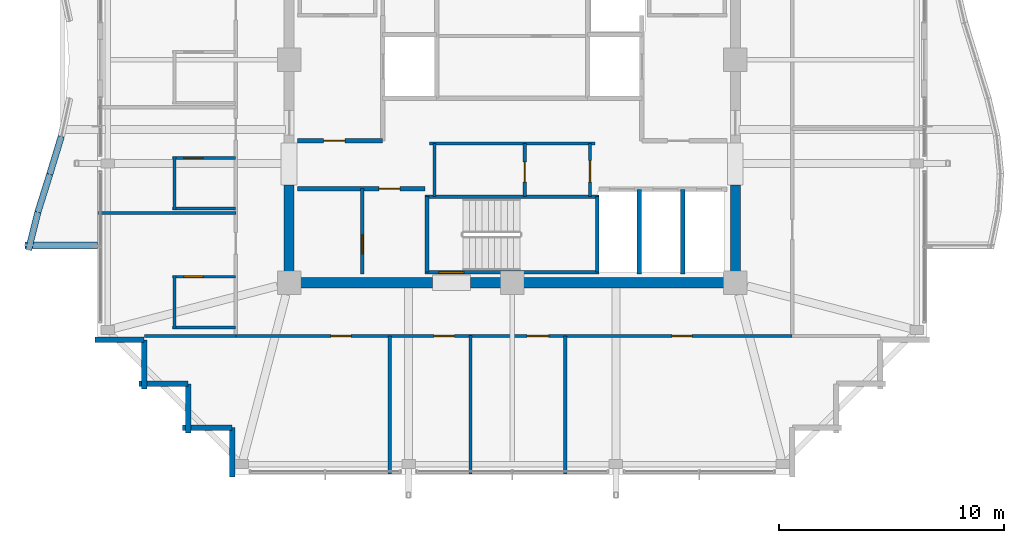
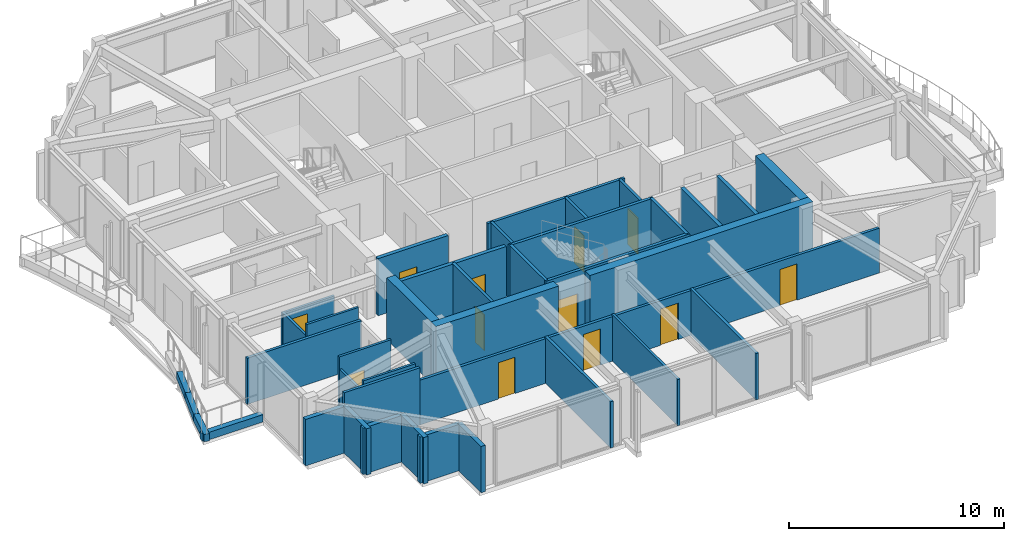
# One storey, part 26 of 31: 39 walls, 12 doors, 12 openings.
"""IFC4 building model written with IfcOpenShell, lengths in metres."""

from ifc_helpers import new_model, si_unit, direction, frame, frame_2d, origin, place, context, subcontext, project, spatial, rectangle, extrude, material, layer, layer_set, type_object, element, fill, save


model = new_model("IFC4")

# Units and contexts
model_context = context("Model", 3, precision=1e-05, world=origin(), true_north=direction((0.0, 1.0)))
body_context = subcontext(model_context, "Body", "Model", "MODEL_VIEW")
ifc_project = project(units=[si_unit("LENGTHUNIT", "METRE"), si_unit("AREAUNIT", "SQUARE_METRE"), si_unit("VOLUMEUNIT", "CUBIC_METRE"), si_unit("PLANEANGLEUNIT", "RADIAN"), si_unit("MASSUNIT", "GRAM", prefix="KILO")], contexts=[model_context])

# Site, building, storey
site_placement = place(None, origin())
site = spatial("IfcSite", under=ifc_project, at=site_placement, CompositionType="ELEMENT")
building_placement = place(site_placement, origin())
building = spatial("IfcBuilding", under=site, at=building_placement, Name="Kolvaren Belvedere", CompositionType="ELEMENT")
storey_placement = place(building_placement, frame((0.0, 0.0, 251.39990234375)))
storey = spatial("IfcBuildingStorey", under=building, at=storey_placement, Name="L73", CompositionType="ELEMENT", Elevation=251.39990234375)

# Walls
ifc_material_1 = material(Name="Concrete C50/60", Category="concrete")
ifc_layer_1 = layer(ifc_material_1, 0.449951171875)
ifc_layer_set_1 = layer_set([ifc_layer_1], Name="Concrete C50/60")
wall_type_1 = type_object("IfcWallType", Name="CW-CORE-450", PredefinedType="SHEAR", material=ifc_layer_set_1)
wall_1_placement = place(storey_placement, frame((10.125, -9.89990234375, 0.0), z_axis=(0.0, 0.0, 1.0), x_axis=(-1.0, 0.0, 0.0)))
element("IfcWall", 1, at=wall_1_placement, inside=storey, type_object=wall_type_1, Name="L73 South Core Shear Wall 1", PredefinedType="SHEAR", context=body_context, shape_type="SweptSolid", body=[
    extrude(rectangle(XDim=11.985107421875, YDim=0.449951171875, at=frame_2d((5.99267578125, 0.0))), origin(), (0.0, 0.0, 1.0), 3.5),
])
wall_2_placement = place(storey_placement, frame((-3.5400390625, -9.89990234375, 0.0), z_axis=(0.0, 0.0, 1.0), x_axis=(-1.0, 0.0, 0.0)))
element("IfcWall", 2, at=wall_2_placement, inside=storey, type_object=wall_type_1, Name="L73 South Core Shear Wall 2", PredefinedType="SHEAR", context=body_context, shape_type="SweptSolid", body=[
    extrude(rectangle(XDim=6.5849609375, YDim=0.449951171875, at=frame_2d((3.29248046875, 0.0))), origin(), (0.0, 0.0, 1.0), 3.5),
])
for number, where, z_axis, x_axis, name in (
    (3, (-9.89990234375, -9.675048828125, 0.0), (0.0, 0.0, 1.0), (0.0, 1.0, 0.0), "L73 West Core Shear Wall 1"),
    (4, (9.89990234375, -9.675048828125, 0.0), (0.0, 0.0, 1.0), (0.0, 1.0, 0.0), "L73 East Core Shear Wall 1"),
):
    element("IfcWall", number, at=place(storey_placement, frame(where, z_axis=z_axis, x_axis=x_axis)), inside=storey, type_object=wall_type_1, Name=name, PredefinedType="SHEAR", context=body_context, shape_type="SweptSolid", body=[
        extrude(rectangle(XDim=4.125, YDim=0.449951171875, at=frame_2d((2.0625, 0.0))), origin(), (0.0, 0.0, 1.0), 3.5),
    ])

# Wall, opening, door
ifc_material_2 = material(Name="Concrete C50/60", Category="concrete")
ifc_layer_2 = layer(ifc_material_2, 0.159912109375)
ifc_layer_set_2 = layer_set([ifc_layer_2], Name="Concrete C50/60")
wall_type_2 = type_object("IfcWallType", Name="CW-STAIR-160", PredefinedType="SHEAR", material=ifc_layer_set_2)
wall_3_placement = place(storey_placement, frame((3.860107421875, -9.429931640625, 0.0), z_axis=(0.0, 0.0, 1.0), x_axis=(-1.0, 0.0, 0.0)))
wall_3 = element("IfcWall", 5, at=wall_3_placement, inside=storey, type_object=wall_type_2, Name="L73 Stair ST-3 South Shear Wall", PredefinedType="SHEAR", context=body_context, shape_type="SweptSolid", body=[
    extrude(rectangle(XDim=7.72021484375, YDim=0.159912109375, at=frame_2d((3.860107421875, 0.0))), origin(), (0.0, 0.0, 1.0), 3.5),
])
opening_1_placement = place(wall_3_placement, frame((6.010009765625, 0.0, 0.0)))
opening_1 = element("IfcOpeningElement", 6, at=opening_1_placement, cuts=wall_3, Name="Opening D-FD90", PredefinedType="OPENING", context=body_context, shape_type="SweptSolid", body=[
    extrude(rectangle(XDim=1.10009765625, YDim=2.199951171875, at=frame_2d((0.550048828125, 1.10009765625))), frame((0.0, 0.08984375, 0.0), z_axis=(0.0, -1.0, 0.0), x_axis=(1.0, 0.0, 0.0)), (0.0, 0.0, 1.0), 0.179931640625),
])
ifc_material_3 = material(Name="Painted hollow stainless steel", Category="steel")
door_type_1 = type_object("IfcDoorType", Name="DR-FD90-1100", OperationType="NOTDEFINED", PredefinedType="DOOR", material=ifc_material_3)
door_1_placement = place(opening_1_placement, origin())
door_1 = element("IfcDoor", 7, at=door_1_placement, inside=storey, type_object=door_type_1, Name="L73 Stair ST-3 Exit Door", OperationType="SINGLE_SWING_RIGHT", OverallHeight=2.199951171875, OverallWidth=1.10009765625, PredefinedType="DOOR", context=body_context, shape_type="SweptSolid", body=[
    extrude(rectangle(XDim=1.10009765625, YDim=2.199951171875, at=frame_2d((0.550048828125, 1.10009765625))), frame((0.0, 0.02490234375, 0.0), z_axis=(0.0, -1.0, 0.0), x_axis=(1.0, 0.0, 0.0)), (0.0, 0.0, 1.0), 0.050048828125),
])
fill(opening_1, door_1)

# Walls
wall_4_placement = place(storey_placement, frame((-3.860107421875, -6.080078125, 0.0), z_axis=(0.0, 0.0, 1.0), x_axis=(1.0, 0.0, 0.0)))
element("IfcWall", 8, at=wall_4_placement, inside=storey, type_object=wall_type_2, Name="L73 Stair ST-3 North Shear Wall", PredefinedType="SHEAR", context=body_context, shape_type="SweptSolid", body=[
    extrude(rectangle(XDim=7.72021484375, YDim=0.159912109375, at=frame_2d((3.860107421875, 0.0))), origin(), (0.0, 0.0, 1.0), 3.5),
])
for number, where, z_axis, x_axis, name in (
    (9, (-3.780029296875, -9.429931640625, 0.0), (0.0, 0.0, 1.0), (0.0, 1.0, 0.0), "L73 Stair ST-3 West Shear Wall"),
    (10, (3.780029296875, -9.429931640625, 0.0), (0.0, 0.0, 1.0), (0.0, 1.0, 0.0), "L73 Stair ST-3 East Shear Wall"),
):
    element("IfcWall", number, at=place(storey_placement, frame(where, z_axis=z_axis, x_axis=x_axis)), inside=storey, type_object=wall_type_2, Name=name, PredefinedType="SHEAR", context=body_context, shape_type="SweptSolid", body=[
        extrude(rectangle(XDim=3.349853515625, YDim=0.159912109375, at=frame_2d((1.6748046875, 0.0))), origin(), (0.0, 0.0, 1.0), 3.5),
    ])

# Wall, openings, doors
ifc_material_4 = material(Name="Gypsum fire-rated partition assembly", Category="gypsum")
ifc_layer_3 = layer(ifc_material_4, 0.14990234375)
ifc_layer_set_3 = layer_set([ifc_layer_3], Name="Gypsum fire-rated partition assembly")
wall_type_3 = type_object("IfcWallType", Name="WL-CORR-150", PredefinedType="PARTITIONING", material=ifc_layer_set_3)
wall_5_placement = place(storey_placement, frame((-12.260009765625, -12.260009765625, 0.0), z_axis=(0.0, 0.0, 1.0), x_axis=(1.0, 0.0, 0.0)))
wall_5 = element("IfcWall", 11, at=wall_5_placement, inside=storey, type_object=wall_type_3, Name="L73 South Corridor Wall", PredefinedType="PARTITIONING", context=body_context, shape_type="SweptSolid", body=[
    extrude(rectangle(XDim=24.679931640625, YDim=0.14990234375, at=frame_2d((12.33984375, 0.0))), origin(), (0.0, 0.0, 1.0), 2.5390625),
])
opening_2_placement = place(wall_5_placement, frame((4.215576171875, 0.0, 0.0)))
opening_2 = element("IfcOpeningElement", 12, at=opening_2_placement, cuts=wall_5, Name="Opening D-INT90", PredefinedType="OPENING", context=body_context, shape_type="SweptSolid", body=[
    extrude(rectangle(XDim=0.89990234375, YDim=2.06005859375, at=frame_2d((0.449951171875, 1.030029296875))), frame((0.0, 0.0849609375, 0.0), z_axis=(0.0, -1.0, 0.0), x_axis=(1.0, 0.0, 0.0)), (0.0, 0.0, 1.0), 0.169921875),
])
opening_3_placement = place(wall_5_placement, frame((8.7958984375, 0.0, 0.0)))
opening_3 = element("IfcOpeningElement", 13, at=opening_3_placement, cuts=wall_5, Name="Opening D-INT90", PredefinedType="OPENING", context=body_context, shape_type="SweptSolid", body=[
    extrude(rectangle(XDim=0.89990234375, YDim=2.06005859375, at=frame_2d((0.449951171875, 1.030029296875))), frame((0.0, 0.0849609375, 0.0), z_axis=(0.0, -1.0, 0.0), x_axis=(1.0, 0.0, 0.0)), (0.0, 0.0, 1.0), 0.169921875),
])
opening_4_placement = place(wall_5_placement, frame((12.921875, 0.0, 0.0)))
opening_4 = element("IfcOpeningElement", 14, at=opening_4_placement, cuts=wall_5, Name="Opening D-INT95", PredefinedType="OPENING", context=body_context, shape_type="SweptSolid", body=[
    extrude(rectangle(XDim=0.949951171875, YDim=2.06005859375, at=frame_2d((0.47509765625, 1.030029296875))), frame((0.0, 0.0849609375, 0.0), z_axis=(0.0, -1.0, 0.0), x_axis=(1.0, 0.0, 0.0)), (0.0, 0.0, 1.0), 0.169921875),
])
opening_5_placement = place(wall_5_placement, frame((19.344970703125, 0.0, 0.0)))
opening_5 = element("IfcOpeningElement", 15, at=opening_5_placement, cuts=wall_5, Name="Opening D-INT90", PredefinedType="OPENING", context=body_context, shape_type="SweptSolid", body=[
    extrude(rectangle(XDim=0.89990234375, YDim=2.06005859375, at=frame_2d((0.449951171875, 1.030029296875))), frame((0.0, 0.0849609375, 0.0), z_axis=(0.0, -1.0, 0.0), x_axis=(1.0, 0.0, 0.0)), (0.0, 0.0, 1.0), 0.169921875),
])
ifc_material_5 = material(Name="Stained Pacific white oak", Category="timber")
door_type_2 = type_object("IfcDoorType", Name="DR-INT-900", OperationType="NOTDEFINED", PredefinedType="DOOR", material=ifc_material_5)
door_2_placement = place(opening_2_placement, origin())
door_2 = element("IfcDoor", 16, at=door_2_placement, inside=storey, type_object=door_type_2, Name="L73 Wellness Yoga & Reading Gym 7301 Door", OperationType="SINGLE_SWING_LEFT", OverallHeight=2.06005859375, OverallWidth=0.89990234375, PredefinedType="DOOR", context=body_context, shape_type="SweptSolid", body=[
    extrude(rectangle(XDim=0.89990234375, YDim=2.06005859375, at=frame_2d((0.449951171875, 1.030029296875))), frame((0.0, 0.02490234375, 0.0), z_axis=(0.0, -1.0, 0.0), x_axis=(1.0, 0.0, 0.0)), (0.0, 0.0, 1.0), 0.050048828125),
])
fill(opening_2, door_2)
door_3_placement = place(opening_3_placement, origin())
door_3 = element("IfcDoor", 17, at=door_3_placement, inside=storey, type_object=door_type_2, Name="L73 Housekeeping Door", OperationType="SINGLE_SWING_RIGHT", OverallHeight=2.06005859375, OverallWidth=0.89990234375, PredefinedType="DOOR", context=body_context, shape_type="SweptSolid", body=[
    extrude(rectangle(XDim=0.89990234375, YDim=2.06005859375, at=frame_2d((0.449951171875, 1.030029296875))), frame((0.0, 0.02490234375, 0.0), z_axis=(0.0, -1.0, 0.0), x_axis=(1.0, 0.0, 0.0)), (0.0, 0.0, 1.0), 0.050048828125),
])
fill(opening_3, door_3)
door_4_placement = place(opening_5_placement, origin())
door_4 = element("IfcDoor", 18, at=door_4_placement, inside=storey, type_object=door_type_2, Name="L73 Guest Tea & Espresso Kitchen 7302 Door", OperationType="SINGLE_SWING_RIGHT", OverallHeight=2.06005859375, OverallWidth=0.89990234375, PredefinedType="DOOR", context=body_context, shape_type="SweptSolid", body=[
    extrude(rectangle(XDim=0.89990234375, YDim=2.06005859375, at=frame_2d((0.449951171875, 1.030029296875))), frame((0.0, 0.02490234375, 0.0), z_axis=(0.0, -1.0, 0.0), x_axis=(1.0, 0.0, 0.0)), (0.0, 0.0, 1.0), 0.050048828125),
])
fill(opening_5, door_4)
ifc_material_6 = material(Name="Stained Pacific white oak", Category="timber")
door_type_3 = type_object("IfcDoorType", Name="DR-INT-950", OperationType="NOTDEFINED", PredefinedType="DOOR", material=ifc_material_6)
door_5_placement = place(opening_4_placement, origin())
door_5 = element("IfcDoor", 19, at=door_5_placement, inside=storey, type_object=door_type_3, Name="L73 Accessible Washroom Door", OperationType="SINGLE_SWING_LEFT", OverallHeight=2.06005859375, OverallWidth=0.949951171875, PredefinedType="DOOR", context=body_context, shape_type="SweptSolid", body=[
    extrude(rectangle(XDim=0.949951171875, YDim=2.06005859375, at=frame_2d((0.47509765625, 1.030029296875))), frame((0.0, 0.02490234375, 0.0), z_axis=(0.0, -1.0, 0.0), x_axis=(1.0, 0.0, 0.0)), (0.0, 0.0, 1.0), 0.050048828125),
])
fill(opening_4, door_5)

# Walls
ifc_material_7 = material(Name="Insulated pale-metal facade wall assembly", Category="aluminium")
ifc_layer_4 = layer(ifc_material_7, 0.239990234375)
ifc_layer_set_4 = layer_set([ifc_layer_4], Name="Insulated pale-metal facade wall assembly")
wall_type_4 = type_object("IfcWallType", Name="WL-EXT-240", PredefinedType="STANDARD", material=ifc_layer_set_4)
wall_6_placement = place(storey_placement, frame((-16.330078125, -12.429931640625, 0.0), z_axis=(0.0, 0.0, 1.0), x_axis=(-1.0, 0.0, 0.0)))
element("IfcWall", 20, at=wall_6_placement, inside=storey, type_object=wall_type_4, Name="L73 Serrated Corner Facade Wall 23", PredefinedType="STANDARD", context=body_context, shape_type="SweptSolid", body=[
    extrude(rectangle(XDim=2.18994140625, YDim=0.239990234375, at=frame_2d((1.094970703125, 0.0))), origin(), (0.0, 0.0, 1.0), 2.633056640625),
])
for number, where, z_axis, x_axis, name in (
    (21, (-16.330078125, -14.6201171875, 0.0), (0.0, 0.0, 1.0), (0.0, 1.0, 0.0), "L73 Serrated Corner Facade Wall 24"),
    (22, (-14.3798828125, -14.3798828125, 0.0), (0.0, 0.0, 1.0), (-1.0, 0.0, 0.0), "L73 Serrated Corner Facade Wall 25"),
    (23, (-14.3798828125, -16.570068359375, 0.0), (0.0, 0.0, 1.0), (0.0, 1.0, 0.0), "L73 Serrated Corner Facade Wall 26"),
    (24, (-12.429931640625, -16.330078125, 0.0), (0.0, 0.0, 1.0), (-1.0, 0.0, 0.0), "L73 Serrated Corner Facade Wall 27"),
):
    element("IfcWall", number, at=place(storey_placement, frame(where, z_axis=z_axis, x_axis=x_axis)), inside=storey, type_object=wall_type_4, Name=name, PredefinedType="STANDARD", context=body_context, shape_type="SweptSolid", body=[
        extrude(rectangle(XDim=2.190185546875, YDim=0.239990234375, at=frame_2d((1.09521484375, 0.0))), origin(), (0.0, 0.0, 1.0), 2.633056640625),
    ])
wall_7_placement = place(storey_placement, frame((-12.429931640625, -18.52001953125, 0.0), z_axis=(0.0, 0.0, 1.0), x_axis=(0.0, 1.0, 0.0)))
element("IfcWall", 25, at=wall_7_placement, inside=storey, type_object=wall_type_4, Name="L73 Serrated Corner Facade Wall 28", PredefinedType="STANDARD", context=body_context, shape_type="SweptSolid", body=[
    extrude(rectangle(XDim=2.18994140625, YDim=0.239990234375, at=frame_2d((1.094970703125, 0.0))), origin(), (0.0, 0.0, 1.0), 2.633056640625),
])

# Wall, opening, door
ifc_material_8 = material(Name="Gypsum acoustic partition assembly", Category="gypsum")
ifc_layer_5 = layer(ifc_material_8, 0.14990234375)
ifc_layer_set_5 = layer_set([ifc_layer_5], Name="Gypsum acoustic partition assembly")
wall_type_5 = type_object("IfcWallType", Name="WL-PART-150", PredefinedType="PARTITIONING", material=ifc_layer_set_5)
wall_8_placement = place(storey_placement, frame((-6.64990234375, -9.52001953125, 0.0), z_axis=(0.0, 0.0, 1.0), x_axis=(0.0, 1.0, 0.0)))
wall_8 = element("IfcWall", 26, at=wall_8_placement, inside=storey, type_object=wall_type_5, Name="L73 Reclaimed Mid Divider", PredefinedType="PARTITIONING", context=body_context, shape_type="SweptSolid", body=[
    extrude(rectangle(XDim=3.800048828125, YDim=0.14990234375, at=frame_2d((1.89990234375, 0.0))), origin(), (0.0, 0.0, 1.0), 3.25),
])
opening_6_placement = place(wall_8_placement, frame((0.89990234375, 0.0, 0.0)))
opening_6 = element("IfcOpeningElement", 27, at=opening_6_placement, cuts=wall_8, Name="Opening D-INT85", PredefinedType="OPENING", context=body_context, shape_type="SweptSolid", body=[
    extrude(rectangle(XDim=0.85009765625, YDim=2.030029296875, at=frame_2d((0.425048828125, 1.01513671875))), frame((0.0, 0.0849609375, 0.0), z_axis=(0.0, -1.0, 0.0), x_axis=(1.0, 0.0, 0.0)), (0.0, 0.0, 1.0), 0.169921875),
])
ifc_material_9 = material(Name="Stained Pacific white oak", Category="timber")
door_type_4 = type_object("IfcDoorType", Name="DR-INT-850", OperationType="NOTDEFINED", PredefinedType="DOOR", material=ifc_material_9)
door_6_placement = place(opening_6_placement, origin())
door_6 = element("IfcDoor", 28, at=door_6_placement, inside=storey, type_object=door_type_4, Name="L73 Conservatory Alcove Door", OperationType="SINGLE_SWING_RIGHT", OverallHeight=2.030029296875, OverallWidth=0.85009765625, PredefinedType="DOOR", context=body_context, shape_type="SweptSolid", body=[
    extrude(rectangle(XDim=0.85009765625, YDim=2.030029296875, at=frame_2d((0.425048828125, 1.01513671875))), frame((0.0, 0.02490234375, 0.0), z_axis=(0.0, -1.0, 0.0), x_axis=(1.0, 0.0, 0.0)), (0.0, 0.0, 1.0), 0.050048828125),
])
fill(opening_6, door_6)

# Wall
wall_9_placement = place(storey_placement, frame((-3.679931640625, -3.719970703125, 0.0), z_axis=(0.0, 0.0, 1.0), x_axis=(1.0, 0.0, 0.0)))
element("IfcWall", 29, at=wall_9_placement, inside=storey, type_object=wall_type_5, Name="L73 South Core Service North Wall", PredefinedType="PARTITIONING", context=body_context, shape_type="SweptSolid", body=[
    extrude(rectangle(XDim=7.35986328125, YDim=0.14990234375, at=frame_2d((3.679931640625, 0.0))), origin(), (0.0, 0.0, 1.0), 3.25),
])

# Wall, opening, door
wall_10_placement = place(storey_placement, frame((3.449951171875, -6.080078125, 0.0), z_axis=(0.0, 0.0, 1.0), x_axis=(0.0, 1.0, 0.0)))
wall_10 = element("IfcWall", 30, at=wall_10_placement, inside=storey, type_object=wall_type_5, Name="L73 South Core Service East Wall", PredefinedType="PARTITIONING", context=body_context, shape_type="SweptSolid", body=[
    extrude(rectangle(XDim=2.360107421875, YDim=0.14990234375, at=frame_2d((1.18017578125, 0.0))), origin(), (0.0, 0.0, 1.0), 3.25),
])
opening_7_placement = place(wall_10_placement, frame((0.64990234375, 0.0, 0.0)))
opening_7 = element("IfcOpeningElement", 31, at=opening_7_placement, cuts=wall_10, Name="Opening D-FD60", PredefinedType="OPENING", context=body_context, shape_type="SweptSolid", body=[
    extrude(rectangle(XDim=0.949951171875, YDim=2.06005859375, at=frame_2d((0.47509765625, 1.030029296875))), frame((0.0, 0.0849609375, 0.0), z_axis=(0.0, -1.0, 0.0), x_axis=(1.0, 0.0, 0.0)), (0.0, 0.0, 1.0), 0.169921875),
])
ifc_material_10 = material(Name="Acoustic white-oak fire door leaf", Category="timber")
door_type_5 = type_object("IfcDoorType", Name="DR-FD60-950", OperationType="NOTDEFINED", PredefinedType="DOOR", material=ifc_material_10)
door_7_placement = place(opening_7_placement, origin())
door_7 = element("IfcDoor", 32, at=door_7_placement, inside=storey, type_object=door_type_5, Name="L73 Core Service Room Door", OperationType="SINGLE_SWING_LEFT", OverallHeight=2.06005859375, OverallWidth=0.949951171875, PredefinedType="DOOR", context=body_context, shape_type="SweptSolid", body=[
    extrude(rectangle(XDim=0.949951171875, YDim=2.06005859375, at=frame_2d((0.47509765625, 1.030029296875))), frame((0.0, 0.02490234375, 0.0), z_axis=(0.0, -1.0, 0.0), x_axis=(1.0, 0.0, 0.0)), (0.0, 0.0, 1.0), 0.050048828125),
])
fill(opening_7, door_7)

# Wall
wall_11_placement = place(storey_placement, frame((-3.449951171875, -6.080078125, 0.0), z_axis=(0.0, 0.0, 1.0), x_axis=(0.0, 1.0, 0.0)))
element("IfcWall", 33, at=wall_11_placement, inside=storey, type_object=wall_type_5, Name="L73 South Core Service West Wall", PredefinedType="PARTITIONING", context=body_context, shape_type="SweptSolid", body=[
    extrude(rectangle(XDim=2.360107421875, YDim=0.14990234375, at=frame_2d((1.18017578125, 0.0))), origin(), (0.0, 0.0, 1.0), 3.25),
])

# Wall, opening, door
wall_12_placement = place(storey_placement, frame((0.550048828125, -6.080078125, 0.0), z_axis=(0.0, 0.0, 1.0), x_axis=(0.0, 1.0, 0.0)))
wall_12 = element("IfcWall", 34, at=wall_12_placement, inside=storey, type_object=wall_type_5, Name="L73 Core Service Divider", PredefinedType="PARTITIONING", context=body_context, shape_type="SweptSolid", body=[
    extrude(rectangle(XDim=2.360107421875, YDim=0.14990234375, at=frame_2d((1.18017578125, 0.0))), origin(), (0.0, 0.0, 1.0), 3.25),
])
opening_8_placement = place(wall_12_placement, frame((0.64990234375, 0.0, 0.0)))
opening_8 = element("IfcOpeningElement", 35, at=opening_8_placement, cuts=wall_12, Name="Opening D-INT90", PredefinedType="OPENING", context=body_context, shape_type="SweptSolid", body=[
    extrude(rectangle(XDim=0.89990234375, YDim=2.06005859375, at=frame_2d((0.449951171875, 1.030029296875))), frame((0.0, 0.0849609375, 0.0), z_axis=(0.0, -1.0, 0.0), x_axis=(1.0, 0.0, 0.0)), (0.0, 0.0, 1.0), 0.169921875),
])
door_8_placement = place(opening_8_placement, origin())
door_8 = element("IfcDoor", 36, at=door_8_placement, inside=storey, type_object=door_type_2, Name="L73 BMS Inner Door", OperationType="SINGLE_SWING_LEFT", OverallHeight=2.06005859375, OverallWidth=0.89990234375, PredefinedType="DOOR", context=body_context, shape_type="SweptSolid", body=[
    extrude(rectangle(XDim=0.89990234375, YDim=2.06005859375, at=frame_2d((0.449951171875, 1.030029296875))), frame((0.0, 0.02490234375, 0.0), z_axis=(0.0, -1.0, 0.0), x_axis=(1.0, 0.0, 0.0)), (0.0, 0.0, 1.0), 0.050048828125),
])
fill(opening_8, door_8)

# Walls
wall_13_placement = place(storey_placement, frame((-16.320068359375, -12.260009765625, 0.0), z_axis=(0.0, 0.0, 1.0), x_axis=(1.0, 0.0, 0.0)))
element("IfcWall", 37, at=wall_13_placement, inside=storey, type_object=wall_type_5, Name="L73 Wing Divider PW-L73-QSW", PredefinedType="PARTITIONING", context=body_context, shape_type="SweptSolid", body=[
    extrude(rectangle(XDim=4.06005859375, YDim=0.14990234375, at=frame_2d((2.030029296875, 0.0))), origin(), (0.0, 0.0, 1.0), 3.25),
])
for number, where, z_axis, x_axis, name in (
    (38, (-5.43994140625, -18.3798828125, 0.0), (0.0, 0.0, 1.0), (0.0, 1.0, 0.0), "L73 South Suite Demising Wall 1"),
    (39, (2.360107421875, -18.3798828125, 0.0), (0.0, 0.0, 1.0), (0.0, 1.0, 0.0), "L73 South Suite Demising Wall 2"),
    (40, (-18.3798828125, -6.803955078125, 0.0), (0.0, 0.0, 1.0), (1.0, 0.0, 0.0), "L73 West Suite Demising Wall 1"),
):
    element("IfcWall", number, at=place(storey_placement, frame(where, z_axis=z_axis, x_axis=x_axis)), inside=storey, type_object=wall_type_5, Name=name, PredefinedType="PARTITIONING", context=body_context, shape_type="SweptSolid", body=[
        extrude(rectangle(XDim=6.119873046875, YDim=0.14990234375, at=frame_2d((3.06005859375, 0.0))), origin(), (0.0, 0.0, 1.0), 2.623046875),
    ])
ifc_material_11 = material(Name="Precast concrete C40/50", Category="concrete")
ifc_layer_6 = layer(ifc_material_11, 0.300048828125)
ifc_layer_set_6 = layer_set([ifc_layer_6], Name="Precast concrete C40/50")
wall_type_6 = type_object("IfcWallType", Name="WL-PLANTER-300", PredefinedType="PARAPET", material=ifc_layer_set_6)
wall_14_placement = place(storey_placement, frame((-20.00830078125, -3.406494140625, -0.06982421875), z_axis=(0.0, 0.0, 1.0), x_axis=(-0.290840734999, -0.956771481005, 0.0)))
element("IfcWall", 41, at=wall_14_placement, inside=storey, type_object=wall_type_6, Name="L73 Precast Structural Planter Wall BAL-W-8", PredefinedType="PARAPET", context=body_context, shape_type="SweptSolid", body=[
    extrude(rectangle(XDim=1.756103515625, YDim=0.280029296875, at=frame_2d((0.8779296875, 0.0))), origin(), (0.0, 0.0, 1.0), 0.419921875),
])
wall_15_placement = place(storey_placement, frame((-20.51953125, -5.087890625, -0.06982421875), z_axis=(0.0, 0.0, 1.0), x_axis=(-0.299624691176, -0.954057149461, 0.0)))
element("IfcWall", 42, at=wall_15_placement, inside=storey, type_object=wall_type_6, Name="L73 Precast Structural Planter Wall BAL-W-9", PredefinedType="PARAPET", context=body_context, shape_type="SweptSolid", body=[
    extrude(rectangle(XDim=1.7607421875, YDim=0.280029296875, at=frame_2d((0.88037109375, 0.0))), origin(), (0.0, 0.0, 1.0), 0.419921875),
])
wall_16_placement = place(storey_placement, frame((-21.04443359375, -6.75830078125, -0.06982421875), z_axis=(0.0, 0.0, 1.0), x_axis=(-0.239180748277, -0.970975061293, 0.0)))
element("IfcWall", 43, at=wall_16_placement, inside=storey, type_object=wall_type_6, Name="L73 Precast Structural Planter Wall BAL-W-10", PredefinedType="PARAPET", context=body_context, shape_type="SweptSolid", body=[
    extrude(rectangle(XDim=1.730224609375, YDim=0.280029296875, at=frame_2d((0.865234375, 0.0))), origin(), (0.0, 0.0, 1.0), 0.419921875),
])
wall_17_placement = place(storey_placement, frame((-21.61376953125, -8.239990234375, -0.06982421875), z_axis=(0.0, 0.0, 1.0), x_axis=(1.0, 0.0, 0.0)))
element("IfcWall", 44, at=wall_17_placement, inside=storey, type_object=wall_type_6, Name="L73 Precast Structural Planter Wall BAL-W-11", PredefinedType="PARAPET", context=body_context, shape_type="SweptSolid", body=[
    extrude(rectangle(XDim=3.2138671875, YDim=0.280029296875, at=frame_2d((1.60693359375, 0.0))), origin(), (0.0, 0.0, 1.0), 0.419921875),
])

# Wall, opening, door
ifc_material_12 = material(Name="Concrete C50/60", Category="concrete")
ifc_layer_7 = layer(ifc_material_12, 0.199951171875)
ifc_layer_set_7 = layer_set([ifc_layer_7], Name="Concrete C50/60")
wall_type_7 = type_object("IfcWallType", Name="WL-SHAFT-200", PredefinedType="SOLIDWALL", material=ifc_layer_set_7)
wall_18_placement = place(storey_placement, frame((-9.52001953125, -3.60009765625, 0.0), z_axis=(0.0, 0.0, 1.0), x_axis=(1.0, 0.0, 0.0)))
wall_18 = element("IfcWall", 45, at=wall_18_placement, inside=storey, type_object=wall_type_7, Name="L73 West FSAE Lobby South Wall", PredefinedType="SOLIDWALL", context=body_context, shape_type="SweptSolid", body=[
    extrude(rectangle(XDim=3.77001953125, YDim=0.199951171875, at=frame_2d((1.885009765625, 0.0))), origin(), (0.0, 0.0, 1.0), 3.25),
])
opening_9_placement = place(wall_18_placement, frame((1.14990234375, 0.0, 0.0)))
opening_9 = element("IfcOpeningElement", 46, at=opening_9_placement, cuts=wall_18, Name="Opening D-FD60", PredefinedType="OPENING", context=body_context, shape_type="SweptSolid", body=[
    extrude(rectangle(XDim=0.949951171875, YDim=2.06005859375, at=frame_2d((0.47509765625, 1.030029296875))), frame((0.0, 0.10986328125, 0.0), z_axis=(0.0, -1.0, 0.0), x_axis=(1.0, 0.0, 0.0)), (0.0, 0.0, 1.0), 0.219970703125),
])
door_9_placement = place(opening_9_placement, origin())
door_9 = element("IfcDoor", 47, at=door_9_placement, inside=storey, type_object=door_type_5, Name="L73 SW Lobby Fire Door", OperationType="SINGLE_SWING_LEFT", OverallHeight=2.06005859375, OverallWidth=0.949951171875, PredefinedType="DOOR", context=body_context, shape_type="SweptSolid", body=[
    extrude(rectangle(XDim=0.949951171875, YDim=2.06005859375, at=frame_2d((0.47509765625, 1.030029296875))), frame((0.0, 0.02490234375, 0.0), z_axis=(0.0, -1.0, 0.0), x_axis=(1.0, 0.0, 0.0)), (0.0, 0.0, 1.0), 0.050048828125),
])
fill(opening_9, door_9)

wall_19_placement = place(storey_placement, frame((-9.52001953125, -5.719970703125, 0.0), z_axis=(0.0, 0.0, 1.0), x_axis=(1.0, 0.0, 0.0)))
wall_19 = element("IfcWall", 48, at=wall_19_placement, inside=storey, type_object=wall_type_7, Name="L73 Reclaimed Mid Room North Wall", PredefinedType="SOLIDWALL", context=body_context, shape_type="SweptSolid", body=[
    extrude(rectangle(XDim=5.659912109375, YDim=0.199951171875, at=frame_2d((2.830078125, 0.0))), origin(), (0.0, 0.0, 1.0), 3.25),
])
opening_10_placement = place(wall_19_placement, frame((3.60009765625, 0.0, 0.0)))
opening_10 = element("IfcOpeningElement", 49, at=opening_10_placement, cuts=wall_19, Name="Opening D-FD60", PredefinedType="OPENING", context=body_context, shape_type="SweptSolid", body=[
    extrude(rectangle(XDim=0.949951171875, YDim=2.06005859375, at=frame_2d((0.47509765625, 1.030029296875))), frame((0.0, 0.10986328125, 0.0), z_axis=(0.0, -1.0, 0.0), x_axis=(1.0, 0.0, 0.0)), (0.0, 0.0, 1.0), 0.219970703125),
])
door_10_placement = place(opening_10_placement, origin())
door_10 = element("IfcDoor", 50, at=door_10_placement, inside=storey, type_object=door_type_5, Name="L73 Study Entry Door", OperationType="SINGLE_SWING_LEFT", OverallHeight=2.06005859375, OverallWidth=0.949951171875, PredefinedType="DOOR", context=body_context, shape_type="SweptSolid", body=[
    extrude(rectangle(XDim=0.949951171875, YDim=2.06005859375, at=frame_2d((0.47509765625, 1.030029296875))), frame((0.0, 0.02490234375, 0.0), z_axis=(0.0, -1.0, 0.0), x_axis=(1.0, 0.0, 0.0)), (0.0, 0.0, 1.0), 0.050048828125),
])
fill(opening_10, door_10)

# Walls
for number, where, z_axis, x_axis, name in (
    (51, (5.6298828125, -9.52001953125, 0.0), (0.0, 0.0, 1.0), (0.0, 1.0, 0.0), "L73 High-Rise Hoistway Divider 1"),
    (52, (7.56005859375, -9.52001953125, 0.0), (0.0, 0.0, 1.0), (0.0, 1.0, 0.0), "L73 High-Rise Hoistway Divider 2"),
):
    element("IfcWall", number, at=place(storey_placement, frame(where, z_axis=z_axis, x_axis=x_axis)), inside=storey, type_object=wall_type_7, Name=name, PredefinedType="SOLIDWALL", context=body_context, shape_type="SweptSolid", body=[
        extrude(rectangle(XDim=3.77001953125, YDim=0.199951171875, at=frame_2d((1.885009765625, 0.0))), origin(), (0.0, 0.0, 1.0), 3.25),
    ])
ifc_material_13 = material(Name="Moisture-resistant gypsum partition", Category="gypsum")
ifc_layer_8 = layer(ifc_material_13, 0.125)
ifc_layer_set_8 = layer_set([ifc_layer_8], Name="Moisture-resistant gypsum partition")
wall_type_8 = type_object("IfcWallType", Name="WL-WET-125", PredefinedType="PARTITIONING", material=ifc_layer_set_8)
wall_20_placement = place(storey_placement, frame((-1.847900390625, -18.3798828125, 0.0), z_axis=(0.0, 0.0, 1.0), x_axis=(0.0, 1.0, 0.0)))
element("IfcWall", 53, at=wall_20_placement, inside=storey, type_object=wall_type_8, Name="L73 Housekeeping Washroom Divider", PredefinedType="PARTITIONING", context=body_context, shape_type="SweptSolid", body=[
    extrude(rectangle(XDim=6.144775390625, YDim=0.125, at=frame_2d((3.072265625, 0.0))), origin(), (0.0, 0.0, 1.0), 2.623046875),
])

# Wall, opening, door
wall_21_placement = place(storey_placement, frame((-15.06494140625, -9.631103515625, 0.0), z_axis=(0.0, 0.0, 1.0), x_axis=(1.0, 0.0, 0.0)))
wall_21 = element("IfcWall", 54, at=wall_21_placement, inside=storey, type_object=wall_type_8, Name="L73 Bathroom Partition PW-L73-BTH-5-N", PredefinedType="PARTITIONING", context=body_context, shape_type="SweptSolid", body=[
    extrude(rectangle(XDim=2.7900390625, YDim=0.125, at=frame_2d((1.39501953125, 0.0))), origin(), (0.0, 0.0, 1.0), 3.25),
])
opening_11_placement = place(wall_21_placement, frame((0.5, 0.0, 0.0)))
opening_11 = element("IfcOpeningElement", 55, at=opening_11_placement, cuts=wall_21, Name="Opening D-BTH85", PredefinedType="OPENING", context=body_context, shape_type="SweptSolid", body=[
    extrude(rectangle(XDim=0.85009765625, YDim=2.030029296875, at=frame_2d((0.425048828125, 1.01513671875))), frame((0.0, 0.072509765625, 0.0), z_axis=(0.0, -1.0, 0.0), x_axis=(1.0, 0.0, 0.0)), (0.0, 0.0, 1.0), 0.14501953125),
])
ifc_material_14 = material(Name="Moisture-sealed Pacific white oak", Category="timber")
door_type_6 = type_object("IfcDoorType", Name="DR-BATH-850", OperationType="NOTDEFINED", PredefinedType="DOOR", material=ifc_material_14)
door_11_placement = place(opening_11_placement, origin())
door_11 = element("IfcDoor", 56, at=door_11_placement, inside=storey, type_object=door_type_6, Name="L73 En-Suite Bathroom 7305 Door", OperationType="SINGLE_SWING_LEFT", OverallHeight=2.030029296875, OverallWidth=0.85009765625, PredefinedType="DOOR", context=body_context, shape_type="SweptSolid", body=[
    extrude(rectangle(XDim=0.85009765625, YDim=2.030029296875, at=frame_2d((0.425048828125, 1.01513671875))), frame((0.0, 0.02490234375, 0.0), z_axis=(0.0, -1.0, 0.0), x_axis=(1.0, 0.0, 0.0)), (0.0, 0.0, 1.0), 0.050048828125),
])
fill(opening_11, door_11)

# Walls
wall_22_placement = place(storey_placement, frame((-14.985107421875, -11.94091796875, 0.0), z_axis=(0.0, 0.0, 1.0), x_axis=(0.0, 1.0, 0.0)))
element("IfcWall", 57, at=wall_22_placement, inside=storey, type_object=wall_type_8, Name="L73 Bathroom Partition PW-L73-BTH-5-V", PredefinedType="PARTITIONING", context=body_context, shape_type="SweptSolid", body=[
    extrude(rectangle(XDim=2.369873046875, YDim=0.125, at=frame_2d((1.18505859375, 0.0))), origin(), (0.0, 0.0, 1.0), 2.5390625),
])
wall_23_placement = place(storey_placement, frame((-15.06494140625, -11.881103515625, 0.0), z_axis=(0.0, 0.0, 1.0), x_axis=(1.0, 0.0, 0.0)))
element("IfcWall", 58, at=wall_23_placement, inside=storey, type_object=wall_type_8, Name="L73 Bathroom Partition PW-L73-BTH-5-S", PredefinedType="PARTITIONING", context=body_context, shape_type="SweptSolid", body=[
    extrude(rectangle(XDim=2.7900390625, YDim=0.125, at=frame_2d((1.39501953125, 0.0))), origin(), (0.0, 0.0, 1.0), 3.25),
])

# Wall, opening, door
wall_24_placement = place(storey_placement, frame((-15.06494140625, -4.35888671875, 0.0), z_axis=(0.0, 0.0, 1.0), x_axis=(1.0, 0.0, 0.0)))
wall_24 = element("IfcWall", 59, at=wall_24_placement, inside=storey, type_object=wall_type_8, Name="L73 Bathroom Partition PW-L73-BTH-6-N", PredefinedType="PARTITIONING", context=body_context, shape_type="SweptSolid", body=[
    extrude(rectangle(XDim=2.7900390625, YDim=0.125, at=frame_2d((1.39501953125, 0.0))), origin(), (0.0, 0.0, 1.0), 2.5390625),
])
opening_12_placement = place(wall_24_placement, frame((0.5, 0.0, 0.0)))
opening_12 = element("IfcOpeningElement", 60, at=opening_12_placement, cuts=wall_24, Name="Opening D-BTH85", PredefinedType="OPENING", context=body_context, shape_type="SweptSolid", body=[
    extrude(rectangle(XDim=0.85009765625, YDim=2.030029296875, at=frame_2d((0.425048828125, 1.01513671875))), frame((0.0, 0.072509765625, 0.0), z_axis=(0.0, -1.0, 0.0), x_axis=(1.0, 0.0, 0.0)), (0.0, 0.0, 1.0), 0.14501953125),
])
door_12_placement = place(opening_12_placement, origin())
door_12 = element("IfcDoor", 61, at=door_12_placement, inside=storey, type_object=door_type_6, Name="L73 En-Suite Bathroom 7306 Door", OperationType="SINGLE_SWING_LEFT", OverallHeight=2.030029296875, OverallWidth=0.85009765625, PredefinedType="DOOR", context=body_context, shape_type="SweptSolid", body=[
    extrude(rectangle(XDim=0.85009765625, YDim=2.030029296875, at=frame_2d((0.425048828125, 1.01513671875))), frame((0.0, 0.02490234375, 0.0), z_axis=(0.0, -1.0, 0.0), x_axis=(1.0, 0.0, 0.0)), (0.0, 0.0, 1.0), 0.050048828125),
])
fill(opening_12, door_12)

# Walls
wall_25_placement = place(storey_placement, frame((-14.985107421875, -6.6689453125, 0.0), z_axis=(0.0, 0.0, 1.0), x_axis=(0.0, 1.0, 0.0)))
element("IfcWall", 62, at=wall_25_placement, inside=storey, type_object=wall_type_8, Name="L73 Bathroom Partition PW-L73-BTH-6-V", PredefinedType="PARTITIONING", context=body_context, shape_type="SweptSolid", body=[
    extrude(rectangle(XDim=2.369873046875, YDim=0.125, at=frame_2d((1.18505859375, 0.0))), origin(), (0.0, 0.0, 1.0), 2.5390625),
])
wall_26_placement = place(storey_placement, frame((-15.06494140625, -6.60888671875, 0.0), z_axis=(0.0, 0.0, 1.0), x_axis=(1.0, 0.0, 0.0)))
element("IfcWall", 63, at=wall_26_placement, inside=storey, type_object=wall_type_8, Name="L73 Bathroom Partition PW-L73-BTH-6-S", PredefinedType="PARTITIONING", context=body_context, shape_type="SweptSolid", body=[
    extrude(rectangle(XDim=2.7900390625, YDim=0.125, at=frame_2d((1.39501953125, 0.0))), origin(), (0.0, 0.0, 1.0), 3.25),
])

save(model, "model.ifc")
